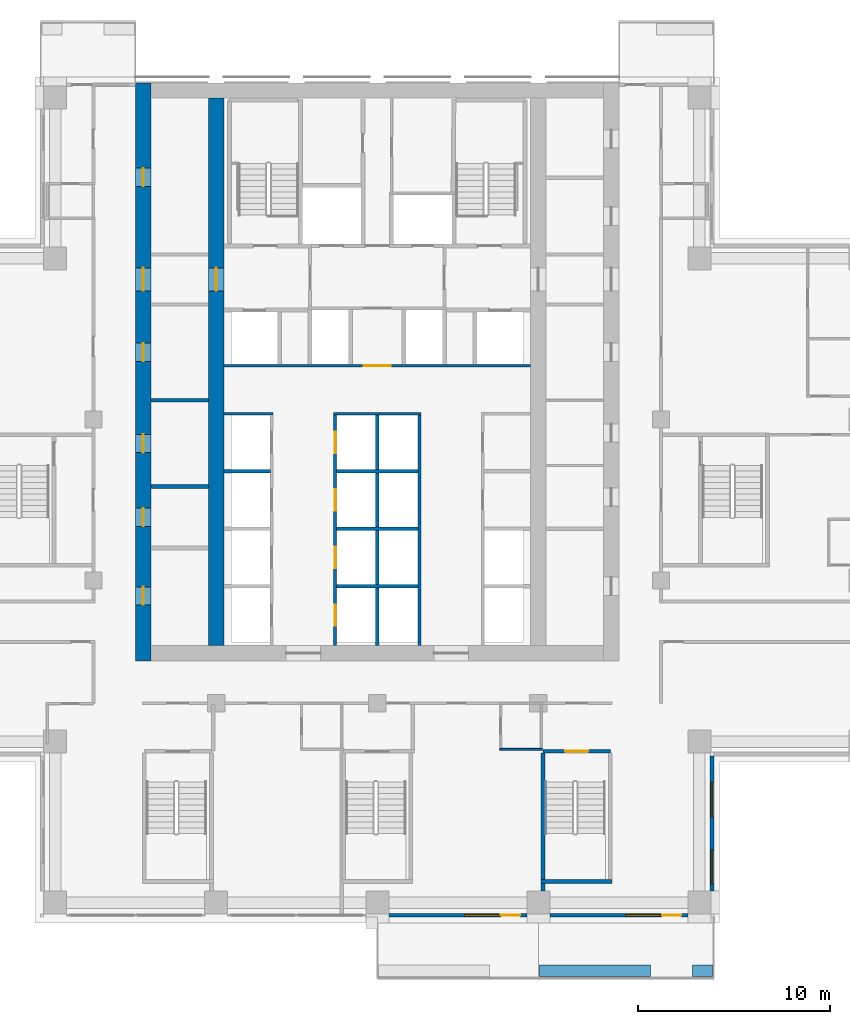
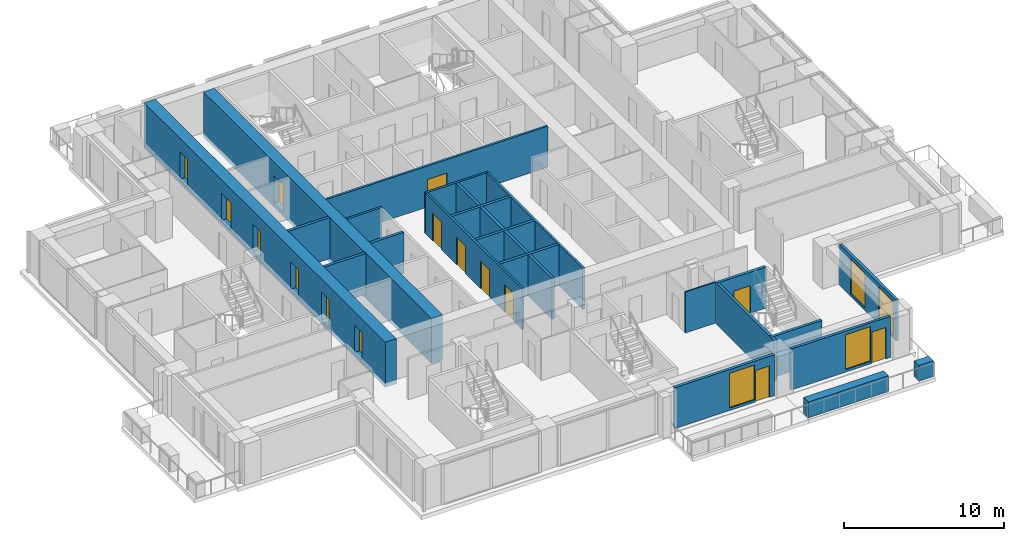
# One storey, part 10 of 18: 23 walls, 15 doors, 4 windows, 19 openings.
"""IFC4 building model written with IfcOpenShell, lengths in metres."""

from ifc_helpers import new_model, si_unit, direction, frame, frame_2d, origin, place, context, subcontext, project, spatial, rectangle, extrude, material, layer, layer_set, type_object, element, fill, save


model = new_model("IFC4")

# Units and contexts
model_context = context("Model", 3, precision=1e-05, world=origin(), true_north=direction((0.0, 1.0)))
body_context = subcontext(model_context, "Body", "Model", "MODEL_VIEW")
ifc_project = project(units=[si_unit("LENGTHUNIT", "METRE"), si_unit("AREAUNIT", "SQUARE_METRE"), si_unit("VOLUMEUNIT", "CUBIC_METRE"), si_unit("PLANEANGLEUNIT", "RADIAN"), si_unit("MASSUNIT", "GRAM", prefix="KILO")], contexts=[model_context])

# Site, building, storey
site_placement = place(None, origin())
site = spatial("IfcSite", under=ifc_project, at=site_placement, CompositionType="ELEMENT")
building_placement = place(site_placement, origin())
building = spatial("IfcBuilding", under=site, at=building_placement, Name="Vermilion Ogive Tower", CompositionType="ELEMENT")
storey_placement = place(building_placement, frame((0.0, 0.0, 94.199951171875)))
storey = spatial("IfcBuildingStorey", under=building, at=storey_placement, Name="L23", CompositionType="ELEMENT", Elevation=94.199951171875)

# Wall, openings, doors
ifc_material_1 = material(Name="Concrete B80", Category="concrete")
ifc_layer_1 = layer(ifc_material_1, 0.800048828125)
ifc_layer_set_1 = layer_set([ifc_layer_1], Name="Core wall 800 B80")
wall_type_1 = type_object("IfcWallType", Name="Core wall 800 B80", PredefinedType="SHEAR", material=ifc_layer_set_1)
wall_1_placement = place(storey_placement, frame((-12.199951171875, -8.39990234375, -0.320068359375), z_axis=(0.0, 0.0, 1.0), x_axis=(0.0, 1.0, 0.0)))
wall_1 = element("IfcWall", 1, at=wall_1_placement, inside=storey, type_object=wall_type_1, Name="L23-CORE-W", PredefinedType="SHEAR", context=body_context, shape_type="SweptSolid", body=[
    extrude(rectangle(XDim=30.14990234375, YDim=0.800048828125, at=frame_2d((15.074951171875, 0.0))), origin(), (0.0, 0.0, 1.0), 3.4501953125),
])
opening_1_placement = place(wall_1_placement, frame((2.925048828125, 0.0, 0.320068359375)))
opening_1 = element("IfcOpeningElement", 2, at=opening_1_placement, cuts=wall_1, Name="Opening DAD040", PredefinedType="OPENING", context=body_context, shape_type="SweptSolid", body=[
    extrude(rectangle(XDim=0.949951171875, YDim=2.10009765625, at=frame_2d((0.47509765625, 1.050048828125))), frame((0.0, 0.409912109375, 0.0), z_axis=(0.0, -1.0, 0.0), x_axis=(1.0, 0.0, 0.0)), (0.0, 0.0, 1.0), 0.820068359375),
])
opening_2_placement = place(wall_1_placement, frame((7.02490234375, 0.0, 0.320068359375)))
opening_2 = element("IfcOpeningElement", 3, at=opening_2_placement, cuts=wall_1, Name="Opening DAD041", PredefinedType="OPENING", context=body_context, shape_type="SweptSolid", body=[
    extrude(rectangle(XDim=0.949951171875, YDim=2.10009765625, at=frame_2d((0.47509765625, 1.050048828125))), frame((0.0, 0.409912109375, 0.0), z_axis=(0.0, -1.0, 0.0), x_axis=(1.0, 0.0, 0.0)), (0.0, 0.0, 1.0), 0.820068359375),
])
opening_3_placement = place(wall_1_placement, frame((10.875, 0.0, 0.320068359375)))
opening_3 = element("IfcOpeningElement", 4, at=opening_3_placement, cuts=wall_1, Name="Opening DAD042", PredefinedType="OPENING", context=body_context, shape_type="SweptSolid", body=[
    extrude(rectangle(XDim=0.949951171875, YDim=2.10009765625, at=frame_2d((0.47509765625, 1.050048828125))), frame((0.0, 0.409912109375, 0.0), z_axis=(0.0, -1.0, 0.0), x_axis=(1.0, 0.0, 0.0)), (0.0, 0.0, 1.0), 0.820068359375),
])
opening_4_placement = place(wall_1_placement, frame((15.625, 0.0, 0.320068359375)))
opening_4 = element("IfcOpeningElement", 5, at=opening_4_placement, cuts=wall_1, Name="Opening DAD043", PredefinedType="OPENING", context=body_context, shape_type="SweptSolid", body=[
    extrude(rectangle(XDim=0.949951171875, YDim=2.10009765625, at=frame_2d((0.47509765625, 1.050048828125))), frame((0.0, 0.409912109375, 0.0), z_axis=(0.0, -1.0, 0.0), x_axis=(1.0, 0.0, 0.0)), (0.0, 0.0, 1.0), 0.820068359375),
])
opening_5_placement = place(wall_1_placement, frame((24.75, 0.0, 0.320068359375)))
opening_5 = element("IfcOpeningElement", 6, at=opening_5_placement, cuts=wall_1, Name="Opening DAD044", PredefinedType="OPENING", context=body_context, shape_type="SweptSolid", body=[
    extrude(rectangle(XDim=0.949951171875, YDim=2.10009765625, at=frame_2d((0.47509765625, 1.050048828125))), frame((0.0, 0.409912109375, 0.0), z_axis=(0.0, -1.0, 0.0), x_axis=(1.0, 0.0, 0.0)), (0.0, 0.0, 1.0), 0.820068359375),
])
opening_6_placement = place(wall_1_placement, frame((19.300048828125, 0.0, 0.320068359375)))
opening_6 = element("IfcOpeningElement", 7, at=opening_6_placement, cuts=wall_1, Name="Opening DAM008", PredefinedType="OPENING", context=body_context, shape_type="SweptSolid", body=[
    extrude(rectangle(XDim=1.199951171875, YDim=2.10009765625, at=frame_2d((0.60009765625, 1.050048828125))), frame((0.0, 0.409912109375, 0.0), z_axis=(0.0, -1.0, 0.0), x_axis=(1.0, 0.0, 0.0)), (0.0, 0.0, 1.0), 0.820068359375),
])
ifc_material_2 = material(Name="Timber door leaf", Category="wood")
door_type_1 = type_object("IfcDoorType", Name="Link door 1200 x 2100 FD60S", OperationType="SINGLE_SWING_LEFT", PredefinedType="DOOR", material=ifc_material_2)
door_1_placement = place(opening_6_placement, origin())
door_1 = element("IfcDoor", 8, at=door_1_placement, inside=storey, type_object=door_type_1, Name="L23-CKW-XL", OperationType="SINGLE_SWING_LEFT", OverallHeight=2.10009765625, OverallWidth=1.199951171875, PredefinedType="DOOR", context=body_context, shape_type="SweptSolid", body=[
    extrude(rectangle(XDim=1.199951171875, YDim=2.10009765625, at=frame_2d((0.60009765625, 1.050048828125))), frame((0.0, 0.02490234375, 0.0), z_axis=(0.0, -1.0, 0.0), x_axis=(1.0, 0.0, 0.0)), (0.0, 0.0, 1.0), 0.050048828125),
])
fill(opening_6, door_1)
ifc_material_3 = material(Name="Timber door leaf", Category="wood")
door_type_2 = type_object("IfcDoorType", Name="Service door 950 x 2100 FD60", OperationType="SINGLE_SWING_LEFT", PredefinedType="DOOR", material=ifc_material_3)
door_2_placement = place(opening_1_placement, origin())
door_2 = element("IfcDoor", 9, at=door_2_placement, inside=storey, type_object=door_type_2, Name="L23-CKW-XR0", OperationType="SINGLE_SWING_LEFT", OverallHeight=2.10009765625, OverallWidth=0.949951171875, PredefinedType="DOOR", context=body_context, shape_type="SweptSolid", body=[
    extrude(rectangle(XDim=0.949951171875, YDim=2.10009765625, at=frame_2d((0.47509765625, 1.050048828125))), frame((0.0, 0.02490234375, 0.0), z_axis=(0.0, -1.0, 0.0), x_axis=(1.0, 0.0, 0.0)), (0.0, 0.0, 1.0), 0.050048828125),
])
fill(opening_1, door_2)
door_3_placement = place(opening_2_placement, origin())
door_3 = element("IfcDoor", 10, at=door_3_placement, inside=storey, type_object=door_type_2, Name="L23-CKW-XR1", OperationType="SINGLE_SWING_LEFT", OverallHeight=2.10009765625, OverallWidth=0.949951171875, PredefinedType="DOOR", context=body_context, shape_type="SweptSolid", body=[
    extrude(rectangle(XDim=0.949951171875, YDim=2.10009765625, at=frame_2d((0.47509765625, 1.050048828125))), frame((0.0, 0.02490234375, 0.0), z_axis=(0.0, -1.0, 0.0), x_axis=(1.0, 0.0, 0.0)), (0.0, 0.0, 1.0), 0.050048828125),
])
fill(opening_2, door_3)
door_4_placement = place(opening_3_placement, origin())
door_4 = element("IfcDoor", 11, at=door_4_placement, inside=storey, type_object=door_type_2, Name="L23-CKW-XR2", OperationType="SINGLE_SWING_LEFT", OverallHeight=2.10009765625, OverallWidth=0.949951171875, PredefinedType="DOOR", context=body_context, shape_type="SweptSolid", body=[
    extrude(rectangle(XDim=0.949951171875, YDim=2.10009765625, at=frame_2d((0.47509765625, 1.050048828125))), frame((0.0, 0.02490234375, 0.0), z_axis=(0.0, -1.0, 0.0), x_axis=(1.0, 0.0, 0.0)), (0.0, 0.0, 1.0), 0.050048828125),
])
fill(opening_3, door_4)
door_5_placement = place(opening_4_placement, origin())
door_5 = element("IfcDoor", 12, at=door_5_placement, inside=storey, type_object=door_type_2, Name="L23-CKW-XR3", OperationType="SINGLE_SWING_LEFT", OverallHeight=2.10009765625, OverallWidth=0.949951171875, PredefinedType="DOOR", context=body_context, shape_type="SweptSolid", body=[
    extrude(rectangle(XDim=0.949951171875, YDim=2.10009765625, at=frame_2d((0.47509765625, 1.050048828125))), frame((0.0, 0.02490234375, 0.0), z_axis=(0.0, -1.0, 0.0), x_axis=(1.0, 0.0, 0.0)), (0.0, 0.0, 1.0), 0.050048828125),
])
fill(opening_4, door_5)
door_6_placement = place(opening_5_placement, origin())
door_6 = element("IfcDoor", 13, at=door_6_placement, inside=storey, type_object=door_type_2, Name="L23-CKW-XR4", OperationType="SINGLE_SWING_LEFT", OverallHeight=2.10009765625, OverallWidth=0.949951171875, PredefinedType="DOOR", context=body_context, shape_type="SweptSolid", body=[
    extrude(rectangle(XDim=0.949951171875, YDim=2.10009765625, at=frame_2d((0.47509765625, 1.050048828125))), frame((0.0, 0.02490234375, 0.0), z_axis=(0.0, -1.0, 0.0), x_axis=(1.0, 0.0, 0.0)), (0.0, 0.0, 1.0), 0.050048828125),
])
fill(opening_5, door_6)

# Wall, opening, door
wall_2_placement = place(storey_placement, frame((-8.39990234375, -7.60009765625, -0.320068359375), z_axis=(0.0, 0.0, 1.0), x_axis=(0.0, 1.0, 0.0)))
wall_2 = element("IfcWall", 14, at=wall_2_placement, inside=storey, type_object=wall_type_1, Name="L23-CORE-WEB1", PredefinedType="SHEAR", context=body_context, shape_type="SweptSolid", body=[
    extrude(rectangle(XDim=28.550048828125, YDim=0.800048828125, at=frame_2d((14.27490234375, 0.0))), origin(), (0.0, 0.0, 1.0), 3.4501953125),
])
opening_7_placement = place(wall_2_placement, frame((18.5, 0.0, 0.320068359375)))
opening_7 = element("IfcOpeningElement", 15, at=opening_7_placement, cuts=wall_2, Name="Opening DAP008", PredefinedType="OPENING", context=body_context, shape_type="SweptSolid", body=[
    extrude(rectangle(XDim=1.199951171875, YDim=2.10009765625, at=frame_2d((0.60009765625, 1.050048828125))), frame((0.0, 0.409912109375, 0.0), z_axis=(0.0, -1.0, 0.0), x_axis=(1.0, 0.0, 0.0)), (0.0, 0.0, 1.0), 0.820068359375),
])
door_7_placement = place(opening_7_placement, origin())
door_7 = element("IfcDoor", 16, at=door_7_placement, inside=storey, type_object=door_type_1, Name="L23-CKW-XW", OperationType="SINGLE_SWING_LEFT", OverallHeight=2.10009765625, OverallWidth=1.199951171875, PredefinedType="DOOR", context=body_context, shape_type="SweptSolid", body=[
    extrude(rectangle(XDim=1.199951171875, YDim=2.10009765625, at=frame_2d((0.60009765625, 1.050048828125))), frame((0.0, 0.02490234375, 0.0), z_axis=(0.0, -1.0, 0.0), x_axis=(1.0, 0.0, 0.0)), (0.0, 0.0, 1.0), 0.050048828125),
])
fill(opening_7, door_7)

# Walls
ifc_material_4 = material(Name="Gypsum board partition on steel studs", Category="steel")
ifc_layer_2 = layer(ifc_material_4, 0.10009765625)
ifc_layer_set_2 = layer_set([ifc_layer_2], Name="Partition 100 bath")
wall_type_2 = type_object("IfcWallType", Name="Partition 100 bath", PredefinedType="PARTITIONING", material=ifc_layer_set_2)
wall_3_placement = place(storey_placement, frame((6.39990234375, -13.0, 0.0), z_axis=(0.0, 0.0, 1.0), x_axis=(1.0, 0.0, 0.0)))
element("IfcWall", 17, at=wall_3_placement, inside=storey, type_object=wall_type_2, Name="L23-W-W006", PredefinedType="PARTITIONING", context=body_context, shape_type="SweptSolid", body=[
    extrude(rectangle(XDim=2.2001953125, YDim=0.10009765625, at=frame_2d((1.10009765625, 0.0))), origin(), (0.0, 0.0, 1.0), 3.130126953125),
])
ifc_material_5 = material(Name="Gypsum board partition on steel studs", Category="steel")
ifc_layer_3 = layer(ifc_material_5, 0.14990234375)
ifc_layer_set_3 = layer_set([ifc_layer_3], Name="Partition 150 corridor")
wall_type_3 = type_object("IfcWallType", Name="Partition 150 corridor", PredefinedType="PARTITIONING", material=ifc_layer_set_3)
wall_4_placement = place(storey_placement, frame((-7.9990234375, 4.5, 0.0), z_axis=(0.0, 0.0, 1.0), x_axis=(1.0, 0.0, 0.0)))
element("IfcWall", 18, at=wall_4_placement, inside=storey, type_object=wall_type_3, Name="L23-CK-W-W010", PredefinedType="PARTITIONING", context=body_context, shape_type="SweptSolid", body=[
    extrude(rectangle(XDim=2.573974609375, YDim=0.14990234375, at=frame_2d((1.287109375, 0.0))), origin(), (0.0, 0.0, 1.0), 3.130126953125),
])
wall_5_placement = place(storey_placement, frame((-2.27490234375, 4.5, 0.0), z_axis=(0.0, 0.0, 1.0), x_axis=(1.0, 0.0, 0.0)))
element("IfcWall", 19, at=wall_5_placement, inside=storey, type_object=wall_type_3, Name="L23-CK-W-W011", PredefinedType="PARTITIONING", context=body_context, shape_type="SweptSolid", body=[
    extrude(rectangle(XDim=4.5498046875, YDim=0.14990234375, at=frame_2d((2.27490234375, 0.0))), origin(), (0.0, 0.0, 1.0), 3.130126953125),
])

# Wall, opening, door
wall_6_placement = place(storey_placement, frame((-7.9990234375, 7.0, 0.0), z_axis=(0.0, 0.0, 1.0), x_axis=(1.0, 0.0, 0.0)))
wall_6 = element("IfcWall", 20, at=wall_6_placement, inside=storey, type_object=wall_type_3, Name="L23-CK-W-W013", PredefinedType="PARTITIONING", context=body_context, shape_type="SweptSolid", body=[
    extrude(rectangle(XDim=15.998046875, YDim=0.14990234375, at=frame_2d((7.9990234375, 0.0))), origin(), (0.0, 0.0, 1.0), 3.130126953125),
])
opening_8_placement = place(wall_6_placement, frame((7.299072265625, 0.0, 0.0)))
opening_8 = element("IfcOpeningElement", 21, at=opening_8_placement, cuts=wall_6, Name="Opening DAA163", PredefinedType="OPENING", context=body_context, shape_type="SweptSolid", body=[
    extrude(rectangle(XDim=1.39990234375, YDim=2.10009765625, at=frame_2d((0.699951171875, 1.050048828125))), frame((0.0, 0.0849609375, 0.0), z_axis=(0.0, -1.0, 0.0), x_axis=(1.0, 0.0, 0.0)), (0.0, 0.0, 1.0), 0.169921875),
])
ifc_material_6 = material(Name="Timber door leaf", Category="wood")
door_type_3 = type_object("IfcDoorType", Name="Lobby door 1400 x 2100 FD60S", OperationType="SINGLE_SWING_LEFT", PredefinedType="DOOR", material=ifc_material_6)
door_8_placement = place(opening_8_placement, origin())
door_8 = element("IfcDoor", 22, at=door_8_placement, inside=storey, type_object=door_type_3, Name="L23-CK-D-D015", OperationType="SINGLE_SWING_RIGHT", OverallHeight=2.10009765625, OverallWidth=1.39990234375, PredefinedType="DOOR", context=body_context, shape_type="SweptSolid", body=[
    extrude(rectangle(XDim=1.39990234375, YDim=2.10009765625, at=frame_2d((0.699951171875, 1.050048828125))), frame((0.0, 0.02490234375, 0.0), z_axis=(0.0, -1.0, 0.0), x_axis=(1.0, 0.0, 0.0)), (0.0, 0.0, 1.0), 0.050048828125),
])
fill(opening_8, door_8)

# Wall, openings, doors
wall_7_placement = place(storey_placement, frame((-2.199951171875, -7.59912109375, 0.0), z_axis=(0.0, 0.0, 1.0), x_axis=(0.0, 1.0, 0.0)))
wall_7 = element("IfcWall", 23, at=wall_7_placement, inside=storey, type_object=wall_type_3, Name="L23-CK-W-W027", PredefinedType="PARTITIONING", context=body_context, shape_type="SweptSolid", body=[
    extrude(rectangle(XDim=12.024169921875, YDim=0.14990234375, at=frame_2d((6.01220703125, 0.0))), origin(), (0.0, 0.0, 1.0), 3.130126953125),
])
opening_9_placement = place(wall_7_placement, frame((1.049072265625, 0.0, 0.0)))
opening_9 = element("IfcOpeningElement", 24, at=opening_9_placement, cuts=wall_7, Name="Opening DAA178", PredefinedType="OPENING", context=body_context, shape_type="SweptSolid", body=[
    extrude(rectangle(XDim=1.10009765625, YDim=2.10009765625, at=frame_2d((0.550048828125, 1.050048828125))), frame((0.0, 0.0849609375, 0.0), z_axis=(0.0, -1.0, 0.0), x_axis=(1.0, 0.0, 0.0)), (0.0, 0.0, 1.0), 0.169921875),
])
opening_10_placement = place(wall_7_placement, frame((4.049072265625, 0.0, 0.0)))
opening_10 = element("IfcOpeningElement", 25, at=opening_10_placement, cuts=wall_7, Name="Opening DAA179", PredefinedType="OPENING", context=body_context, shape_type="SweptSolid", body=[
    extrude(rectangle(XDim=1.10009765625, YDim=2.10009765625, at=frame_2d((0.550048828125, 1.050048828125))), frame((0.0, 0.0849609375, 0.0), z_axis=(0.0, -1.0, 0.0), x_axis=(1.0, 0.0, 0.0)), (0.0, 0.0, 1.0), 0.169921875),
])
opening_11_placement = place(wall_7_placement, frame((7.049072265625, 0.0, 0.0)))
opening_11 = element("IfcOpeningElement", 26, at=opening_11_placement, cuts=wall_7, Name="Opening DAA180", PredefinedType="OPENING", context=body_context, shape_type="SweptSolid", body=[
    extrude(rectangle(XDim=1.10009765625, YDim=2.10009765625, at=frame_2d((0.550048828125, 1.050048828125))), frame((0.0, 0.0849609375, 0.0), z_axis=(0.0, -1.0, 0.0), x_axis=(1.0, 0.0, 0.0)), (0.0, 0.0, 1.0), 0.169921875),
])
opening_12_placement = place(wall_7_placement, frame((10.049072265625, 0.0, 0.0)))
opening_12 = element("IfcOpeningElement", 27, at=opening_12_placement, cuts=wall_7, Name="Opening DAA181", PredefinedType="OPENING", context=body_context, shape_type="SweptSolid", body=[
    extrude(rectangle(XDim=1.10009765625, YDim=2.10009765625, at=frame_2d((0.550048828125, 1.050048828125))), frame((0.0, 0.0849609375, 0.0), z_axis=(0.0, -1.0, 0.0), x_axis=(1.0, 0.0, 0.0)), (0.0, 0.0, 1.0), 0.169921875),
])
ifc_material_7 = material(Name="Stainless steel", Category="steel")
door_type_4 = type_object("IfcDoorType", Name="Lift landing door 1100 x 2100", OperationType="SLIDING_TO_LEFT", PredefinedType="DOOR", material=ifc_material_7)
door_9_placement = place(opening_9_placement, origin())
door_9 = element("IfcDoor", 28, at=door_9_placement, inside=storey, type_object=door_type_4, Name="L23-CK-D-D005", OperationType="SLIDING_TO_LEFT", OverallHeight=2.10009765625, OverallWidth=1.10009765625, PredefinedType="DOOR", context=body_context, shape_type="SweptSolid", body=[
    extrude(rectangle(XDim=1.10009765625, YDim=2.10009765625, at=frame_2d((0.550048828125, 1.050048828125))), frame((0.0, 0.02490234375, 0.0), z_axis=(0.0, -1.0, 0.0), x_axis=(1.0, 0.0, 0.0)), (0.0, 0.0, 1.0), 0.050048828125),
])
fill(opening_9, door_9)
door_10_placement = place(opening_10_placement, origin())
door_10 = element("IfcDoor", 29, at=door_10_placement, inside=storey, type_object=door_type_4, Name="L23-CK-D-D006", OperationType="SLIDING_TO_LEFT", OverallHeight=2.10009765625, OverallWidth=1.10009765625, PredefinedType="DOOR", context=body_context, shape_type="SweptSolid", body=[
    extrude(rectangle(XDim=1.10009765625, YDim=2.10009765625, at=frame_2d((0.550048828125, 1.050048828125))), frame((0.0, 0.02490234375, 0.0), z_axis=(0.0, -1.0, 0.0), x_axis=(1.0, 0.0, 0.0)), (0.0, 0.0, 1.0), 0.050048828125),
])
fill(opening_10, door_10)
door_11_placement = place(opening_11_placement, origin())
door_11 = element("IfcDoor", 30, at=door_11_placement, inside=storey, type_object=door_type_4, Name="L23-CK-D-D007", OperationType="SLIDING_TO_LEFT", OverallHeight=2.10009765625, OverallWidth=1.10009765625, PredefinedType="DOOR", context=body_context, shape_type="SweptSolid", body=[
    extrude(rectangle(XDim=1.10009765625, YDim=2.10009765625, at=frame_2d((0.550048828125, 1.050048828125))), frame((0.0, 0.02490234375, 0.0), z_axis=(0.0, -1.0, 0.0), x_axis=(1.0, 0.0, 0.0)), (0.0, 0.0, 1.0), 0.050048828125),
])
fill(opening_11, door_11)
door_12_placement = place(opening_12_placement, origin())
door_12 = element("IfcDoor", 31, at=door_12_placement, inside=storey, type_object=door_type_4, Name="L23-CK-D-D008", OperationType="SLIDING_TO_LEFT", OverallHeight=2.10009765625, OverallWidth=1.10009765625, PredefinedType="DOOR", context=body_context, shape_type="SweptSolid", body=[
    extrude(rectangle(XDim=1.10009765625, YDim=2.10009765625, at=frame_2d((0.550048828125, 1.050048828125))), frame((0.0, 0.02490234375, 0.0), z_axis=(0.0, -1.0, 0.0), x_axis=(1.0, 0.0, 0.0)), (0.0, 0.0, 1.0), 0.050048828125),
])
fill(opening_12, door_12)

# Walls
wall_8_placement = place(storey_placement, frame((2.199951171875, -7.59912109375, 0.0), z_axis=(0.0, 0.0, 1.0), x_axis=(0.0, 1.0, 0.0)))
element("IfcWall", 32, at=wall_8_placement, inside=storey, type_object=wall_type_3, Name="L23-CK-W-W034", PredefinedType="PARTITIONING", context=body_context, shape_type="SweptSolid", body=[
    extrude(rectangle(XDim=12.024169921875, YDim=0.14990234375, at=frame_2d((6.01220703125, 0.0))), origin(), (0.0, 0.0, 1.0), 3.130126953125),
])
ifc_material_8 = material(Name="Gypsum board partition on steel studs", Category="steel")
ifc_layer_4 = layer(ifc_material_8, 0.199951171875)
ifc_layer_set_4 = layer_set([ifc_layer_4], Name="Partition 200 party")
wall_type_4 = type_object("IfcWallType", Name="Partition 200 party", PredefinedType="PARTITIONING", material=ifc_layer_set_4)
for number, where, z_axis, x_axis, name in (
    (33, (-2.125, -4.5, 0.0), (0.0, 0.0, 1.0), (1.0, 0.0, 0.0), "L23-CK-W-W002"),
    (34, (-2.125, -1.5, 0.0), (0.0, 0.0, 1.0), (1.0, 0.0, 0.0), "L23-CK-W-W005"),
):
    element("IfcWall", number, at=place(storey_placement, frame(where, z_axis=z_axis, x_axis=x_axis)), inside=storey, type_object=wall_type_4, Name=name, PredefinedType="PARTITIONING", context=body_context, shape_type="SweptSolid", body=[
        extrude(rectangle(XDim=4.25, YDim=0.199951171875, at=frame_2d((2.125, 0.0))), origin(), (0.0, 0.0, 1.0), 3.130126953125),
    ])
wall_9_placement = place(storey_placement, frame((-7.9990234375, 1.5, 0.0), z_axis=(0.0, 0.0, 1.0), x_axis=(1.0, 0.0, 0.0)))
element("IfcWall", 35, at=wall_9_placement, inside=storey, type_object=wall_type_4, Name="L23-CK-W-W007", PredefinedType="PARTITIONING", context=body_context, shape_type="SweptSolid", body=[
    extrude(rectangle(XDim=2.424072265625, YDim=0.199951171875, at=frame_2d((1.2119140625, 0.0))), origin(), (0.0, 0.0, 1.0), 3.130126953125),
])
wall_10_placement = place(storey_placement, frame((-2.125, 1.5, 0.0), z_axis=(0.0, 0.0, 1.0), x_axis=(1.0, 0.0, 0.0)))
element("IfcWall", 36, at=wall_10_placement, inside=storey, type_object=wall_type_4, Name="L23-CK-W-W008", PredefinedType="PARTITIONING", context=body_context, shape_type="SweptSolid", body=[
    extrude(rectangle(XDim=4.25, YDim=0.199951171875, at=frame_2d((2.125, 0.0))), origin(), (0.0, 0.0, 1.0), 3.130126953125),
])
wall_11_placement = place(storey_placement, frame((0.0, -7.59912109375, 0.0), z_axis=(0.0, 0.0, 1.0), x_axis=(0.0, 1.0, 0.0)))
element("IfcWall", 37, at=wall_11_placement, inside=storey, type_object=wall_type_4, Name="L23-CK-W-W030", PredefinedType="PARTITIONING", context=body_context, shape_type="SweptSolid", body=[
    extrude(rectangle(XDim=12.024169921875, YDim=0.199951171875, at=frame_2d((6.01220703125, 0.0))), origin(), (0.0, 0.0, 1.0), 3.130126953125),
])
for number, where, z_axis, x_axis, name in (
    (38, (-11.799072265625, 0.699951171875, 0.0), (0.0, 0.0, 1.0), (1.0, 0.0, 0.0), "L23-CKW-W-W002"),
    (39, (-11.799072265625, 5.199951171875, 0.0), (0.0, 0.0, 1.0), (1.0, 0.0, 0.0), "L23-CKW-W-W003"),
):
    element("IfcWall", number, at=place(storey_placement, frame(where, z_axis=z_axis, x_axis=x_axis)), inside=storey, type_object=wall_type_4, Name=name, PredefinedType="PARTITIONING", context=body_context, shape_type="SweptSolid", body=[
        extrude(rectangle(XDim=2.998046875, YDim=0.199951171875, at=frame_2d((1.4990234375, 0.0))), origin(), (0.0, 0.0, 1.0), 3.130126953125),
    ])

# Wall, opening, door
ifc_material_9 = material(Name="Concrete B60", Category="concrete")
ifc_layer_5 = layer(ifc_material_9, 0.199951171875)
ifc_layer_set_5 = layer_set([ifc_layer_5], Name="Stair shaft wall 200 Concrete B60")
wall_type_5 = type_object("IfcWallType", Name="Stair shaft wall 200 Concrete B60", PredefinedType="SOLIDWALL", material=ifc_layer_set_5)
wall_12_placement = place(storey_placement, frame((8.64990234375, -13.10009765625, 0.0), z_axis=(0.0, 0.0, 1.0), x_axis=(1.0, 0.0, 0.0)))
wall_12 = element("IfcWall", 40, at=wall_12_placement, inside=storey, type_object=wall_type_5, Name="L23-W-W004", PredefinedType="SOLIDWALL", context=body_context, shape_type="SweptSolid", body=[
    extrude(rectangle(XDim=3.5, YDim=0.199951171875, at=frame_2d((1.75, 0.0))), origin(), (0.0, 0.0, 1.0), 3.130126953125),
])
opening_13_placement = place(wall_12_placement, frame((1.150146484375, 0.0, 0.0)))
opening_13 = element("IfcOpeningElement", 41, at=opening_13_placement, cuts=wall_12, Name="Opening D2G2027", PredefinedType="OPENING", context=body_context, shape_type="SweptSolid", body=[
    extrude(rectangle(XDim=1.199951171875, YDim=2.10009765625, at=frame_2d((0.60009765625, 1.050048828125))), frame((0.0, 0.10986328125, 0.0), z_axis=(0.0, -1.0, 0.0), x_axis=(1.0, 0.0, 0.0)), (0.0, 0.0, 1.0), 0.219970703125),
])
ifc_material_10 = material(Name="Timber door leaf", Category="wood")
door_type_5 = type_object("IfcDoorType", Name="Stair door 1200 x 2100 FD60S", OperationType="SINGLE_SWING_LEFT", PredefinedType="DOOR", material=ifc_material_10)
door_13_placement = place(opening_13_placement, origin())
door_13 = element("IfcDoor", 42, at=door_13_placement, inside=storey, type_object=door_type_5, Name="L23-D-D027", OperationType="SINGLE_SWING_RIGHT", OverallHeight=2.10009765625, OverallWidth=1.199951171875, PredefinedType="DOOR", context=body_context, shape_type="SweptSolid", body=[
    extrude(rectangle(XDim=1.199951171875, YDim=2.10009765625, at=frame_2d((0.60009765625, 1.050048828125))), frame((0.0, 0.02490234375, 0.0), z_axis=(0.0, -1.0, 0.0), x_axis=(1.0, 0.0, 0.0)), (0.0, 0.0, 1.0), 0.050048828125),
])
fill(opening_13, door_13)

# Walls
wall_13_placement = place(storey_placement, frame((8.550048828125, -19.89990234375, 0.0), z_axis=(0.0, 0.0, 1.0), x_axis=(1.0, 0.0, 0.0)))
element("IfcWall", 43, at=wall_13_placement, inside=storey, type_object=wall_type_5, Name="L23-SW-ST5-S1", PredefinedType="SOLIDWALL", context=body_context, shape_type="SweptSolid", body=[
    extrude(rectangle(XDim=3.699951171875, YDim=0.199951171875, at=frame_2d((1.85009765625, 0.0))), origin(), (0.0, 0.0, 1.0), 3.130126953125),
])
wall_14_placement = place(storey_placement, frame((8.64990234375, -20.39990234375, 0.0), z_axis=(0.0, 0.0, 1.0), x_axis=(0.0, 1.0, 0.0)))
element("IfcWall", 44, at=wall_14_placement, inside=storey, type_object=wall_type_5, Name="L23-SW-ST5-W1", PredefinedType="SOLIDWALL", context=body_context, shape_type="SweptSolid", body=[
    extrude(rectangle(XDim=7.199951171875, YDim=0.199951171875, at=frame_2d((3.60009765625, 0.0))), origin(), (0.0, 0.0, 1.0), 3.130126953125),
])
ifc_material_11 = material(Name="Concrete B40", Category="concrete")
ifc_layer_6 = layer(ifc_material_11, 0.60009765625)
ifc_layer_set_6 = layer_set([ifc_layer_6], Name="Structural planter")
wall_type_6 = type_object("IfcWallType", Name="Structural planter", PredefinedType="USERDEFINED", material=ifc_layer_set_6)
wall_15_placement = place(storey_placement, frame((8.4599609375, -24.550048828125, -0.0400390625), z_axis=(0.0, 0.0, 1.0), x_axis=(1.0, 0.0, 0.0)))
element("IfcWall", 45, at=wall_15_placement, inside=storey, type_object=wall_type_6, Name="Planter S04A1", ObjectType="PLANTER", PredefinedType="USERDEFINED", context=body_context, shape_type="SweptSolid", body=[
    extrude(rectangle(XDim=5.7900390625, YDim=0.60009765625, at=frame_2d((2.89501953125, 0.0))), origin(), (0.0, 0.0, 1.0), 1.2001953125),
])
wall_16_placement = place(storey_placement, frame((16.449951171875, -24.550048828125, -0.0400390625), z_axis=(0.0, 0.0, 1.0), x_axis=(1.0, 0.0, 0.0)))
element("IfcWall", 46, at=wall_16_placement, inside=storey, type_object=wall_type_6, Name="Planter S04A2", ObjectType="PLANTER", PredefinedType="USERDEFINED", context=body_context, shape_type="SweptSolid", body=[
    extrude(rectangle(XDim=1.0400390625, YDim=0.60009765625, at=frame_2d((0.52001953125, 0.0))), origin(), (0.0, 0.0, 1.0), 1.2001953125),
])

# Wall, openings, door, window
ifc_material_12 = material(Name="Aluminium window wall framing", Category="aluminium")
ifc_layer_7 = layer(ifc_material_12, 0.199951171875)
ifc_layer_set_7 = layer_set([ifc_layer_7], Name="Window wall")
wall_type_7 = type_object("IfcWallType", Name="Window wall", PredefinedType="STANDARD", material=ifc_layer_set_7)
wall_17_placement = place(storey_placement, frame((0.60009765625, -21.64990234375, 0.0), z_axis=(0.0, 0.0, 1.0), x_axis=(1.0, 0.0, 0.0)))
wall_17 = element("IfcWall", 47, at=wall_17_placement, inside=storey, type_object=wall_type_7, Name="Window wall S3", PredefinedType="STANDARD", context=body_context, shape_type="SweptSolid", body=[
    extrude(rectangle(XDim=7.199951171875, YDim=0.199951171875, at=frame_2d((3.60009765625, 0.0))), origin(), (0.0, 0.0, 1.0), 3.130126953125),
])
opening_14_placement = place(wall_17_placement, frame((3.949951171875, 0.0, 0.199951171875)))
opening_14 = element("IfcOpeningElement", 48, at=opening_14_placement, cuts=wall_17, Name="Opening W1-S01", PredefinedType="OPENING", context=body_context, shape_type="SweptSolid", body=[
    extrude(rectangle(XDim=1.800048828125, YDim=2.64990234375, at=frame_2d((0.89990234375, 1.324951171875))), frame((0.0, 0.10986328125, 0.0), z_axis=(0.0, -1.0, 0.0), x_axis=(1.0, 0.0, 0.0)), (0.0, 0.0, 1.0), 0.219970703125),
])
opening_15_placement = place(wall_17_placement, frame((5.85009765625, 0.0, 0.0)))
opening_15 = element("IfcOpeningElement", 49, at=opening_15_placement, cuts=wall_17, Name="Opening D1-S01", PredefinedType="OPENING", context=body_context, shape_type="SweptSolid", body=[
    extrude(rectangle(XDim=1.0, YDim=2.39990234375, at=frame_2d((0.5, 1.199951171875))), frame((0.0, 0.10986328125, 0.0), z_axis=(0.0, -1.0, 0.0), x_axis=(1.0, 0.0, 0.0)), (0.0, 0.0, 1.0), 0.219970703125),
])
ifc_material_13 = material(Name="Aluminium framed glazed door", Category="aluminium")
door_type_6 = type_object("IfcDoorType", Name="Balcony door D1", OperationType="SINGLE_SWING_LEFT", PredefinedType="DOOR", material=ifc_material_13)
door_14_placement = place(opening_15_placement, origin())
door_14 = element("IfcDoor", 50, at=door_14_placement, inside=storey, type_object=door_type_6, Name="Balcony door S01", OperationType="SINGLE_SWING_LEFT", OverallHeight=2.39990234375, OverallWidth=1.0, PredefinedType="DOOR", context=body_context, shape_type="SweptSolid", body=[
    extrude(rectangle(XDim=1.0, YDim=2.39990234375, at=frame_2d((0.5, 1.199951171875))), frame((0.0, 0.02490234375, 0.0), z_axis=(0.0, -1.0, 0.0), x_axis=(1.0, 0.0, 0.0)), (0.0, 0.0, 1.0), 0.050048828125),
])
fill(opening_15, door_14)
ifc_material_14 = material(Name="Aluminium framed double glazing", Category="aluminium")
window_type = type_object("IfcWindowType", Name="Guest window W1", PartitioningType="SINGLE_PANEL", PredefinedType="WINDOW", material=ifc_material_14)
window_1_placement = place(opening_14_placement, origin())
window_1 = element("IfcWindow", 51, at=window_1_placement, inside=storey, type_object=window_type, Name="Window S01", OverallHeight=2.64990234375, OverallWidth=1.800048828125, PartitioningType="SINGLE_PANEL", PredefinedType="WINDOW", context=body_context, shape_type="SweptSolid", body=[
    extrude(rectangle(XDim=1.800048828125, YDim=2.64990234375, at=frame_2d((0.89990234375, 1.324951171875))), frame((0.0, 0.030029296875, 0.0), z_axis=(0.0, -1.0, 0.0), x_axis=(1.0, 0.0, 0.0)), (0.0, 0.0, 1.0), 0.06005859375),
])
fill(opening_14, window_1)

wall_18_placement = place(storey_placement, frame((9.0, -21.64990234375, 0.0), z_axis=(0.0, 0.0, 1.0), x_axis=(1.0, 0.0, 0.0)))
wall_18 = element("IfcWall", 52, at=wall_18_placement, inside=storey, type_object=wall_type_7, Name="Window wall S4", PredefinedType="STANDARD", context=body_context, shape_type="SweptSolid", body=[
    extrude(rectangle(XDim=7.199951171875, YDim=0.199951171875, at=frame_2d((3.60009765625, 0.0))), origin(), (0.0, 0.0, 1.0), 3.130126953125),
])
opening_16_placement = place(wall_18_placement, frame((3.949951171875, 0.0, 0.199951171875)))
opening_16 = element("IfcOpeningElement", 53, at=opening_16_placement, cuts=wall_18, Name="Opening W1-S03", PredefinedType="OPENING", context=body_context, shape_type="SweptSolid", body=[
    extrude(rectangle(XDim=1.800048828125, YDim=2.64990234375, at=frame_2d((0.89990234375, 1.324951171875))), frame((0.0, 0.10986328125, 0.0), z_axis=(0.0, -1.0, 0.0), x_axis=(1.0, 0.0, 0.0)), (0.0, 0.0, 1.0), 0.219970703125),
])
opening_17_placement = place(wall_18_placement, frame((5.85009765625, 0.0, 0.0)))
opening_17 = element("IfcOpeningElement", 54, at=opening_17_placement, cuts=wall_18, Name="Opening D1-S03", PredefinedType="OPENING", context=body_context, shape_type="SweptSolid", body=[
    extrude(rectangle(XDim=1.0, YDim=2.39990234375, at=frame_2d((0.5, 1.199951171875))), frame((0.0, 0.10986328125, 0.0), z_axis=(0.0, -1.0, 0.0), x_axis=(1.0, 0.0, 0.0)), (0.0, 0.0, 1.0), 0.219970703125),
])
door_15_placement = place(opening_17_placement, origin())
door_15 = element("IfcDoor", 55, at=door_15_placement, inside=storey, type_object=door_type_6, Name="Balcony door S03", OperationType="SINGLE_SWING_LEFT", OverallHeight=2.39990234375, OverallWidth=1.0, PredefinedType="DOOR", context=body_context, shape_type="SweptSolid", body=[
    extrude(rectangle(XDim=1.0, YDim=2.39990234375, at=frame_2d((0.5, 1.199951171875))), frame((0.0, 0.02490234375, 0.0), z_axis=(0.0, -1.0, 0.0), x_axis=(1.0, 0.0, 0.0)), (0.0, 0.0, 1.0), 0.050048828125),
])
fill(opening_17, door_15)
window_2_placement = place(opening_16_placement, origin())
window_2 = element("IfcWindow", 56, at=window_2_placement, inside=storey, type_object=window_type, Name="Window S03", OverallHeight=2.64990234375, OverallWidth=1.800048828125, PartitioningType="SINGLE_PANEL", PredefinedType="WINDOW", context=body_context, shape_type="SweptSolid", body=[
    extrude(rectangle(XDim=1.800048828125, YDim=2.64990234375, at=frame_2d((0.89990234375, 1.324951171875))), frame((0.0, 0.030029296875, 0.0), z_axis=(0.0, -1.0, 0.0), x_axis=(1.0, 0.0, 0.0)), (0.0, 0.0, 1.0), 0.06005859375),
])
fill(opening_16, window_2)

# Wall, openings, windows
wall_19_placement = place(storey_placement, frame((17.449951171875, -20.39990234375, 0.0), z_axis=(0.0, 0.0, 1.0), x_axis=(0.0, 1.0, 0.0)))
wall_19 = element("IfcWall", 57, at=wall_19_placement, inside=storey, type_object=wall_type_7, Name="Window wall X11", PredefinedType="STANDARD", context=body_context, shape_type="SweptSolid", body=[
    extrude(rectangle(XDim=7.0498046875, YDim=0.199951171875, at=frame_2d((3.52490234375, 0.0))), origin(), (0.0, 0.0, 1.0), 3.130126953125),
])
opening_18_placement = place(wall_19_placement, frame((0.35009765625, 0.0, 0.199951171875)))
opening_18 = element("IfcOpeningElement", 58, at=opening_18_placement, cuts=wall_19, Name="Opening W1-X195", PredefinedType="OPENING", context=body_context, shape_type="SweptSolid", body=[
    extrude(rectangle(XDim=1.800048828125, YDim=2.64990234375, at=frame_2d((0.89990234375, 1.324951171875))), frame((0.0, 0.10986328125, 0.0), z_axis=(0.0, -1.0, 0.0), x_axis=(1.0, 0.0, 0.0)), (0.0, 0.0, 1.0), 0.219970703125),
])
opening_19_placement = place(wall_19_placement, frame((3.875, 0.0, 0.199951171875)))
opening_19 = element("IfcOpeningElement", 59, at=opening_19_placement, cuts=wall_19, Name="Opening W1-X196", PredefinedType="OPENING", context=body_context, shape_type="SweptSolid", body=[
    extrude(rectangle(XDim=1.800048828125, YDim=2.64990234375, at=frame_2d((0.89990234375, 1.324951171875))), frame((0.0, 0.10986328125, 0.0), z_axis=(0.0, -1.0, 0.0), x_axis=(1.0, 0.0, 0.0)), (0.0, 0.0, 1.0), 0.219970703125),
])
window_3_placement = place(opening_18_placement, origin())
window_3 = element("IfcWindow", 60, at=window_3_placement, inside=storey, type_object=window_type, Name="Window X195", OverallHeight=2.64990234375, OverallWidth=1.800048828125, PartitioningType="SINGLE_PANEL", PredefinedType="WINDOW", context=body_context, shape_type="SweptSolid", body=[
    extrude(rectangle(XDim=1.800048828125, YDim=2.64990234375, at=frame_2d((0.89990234375, 1.324951171875))), frame((0.0, 0.030029296875, 0.0), z_axis=(0.0, -1.0, 0.0), x_axis=(1.0, 0.0, 0.0)), (0.0, 0.0, 1.0), 0.06005859375),
])
fill(opening_18, window_3)
window_4_placement = place(opening_19_placement, origin())
window_4 = element("IfcWindow", 61, at=window_4_placement, inside=storey, type_object=window_type, Name="Window X196", OverallHeight=2.64990234375, OverallWidth=1.800048828125, PartitioningType="SINGLE_PANEL", PredefinedType="WINDOW", context=body_context, shape_type="SweptSolid", body=[
    extrude(rectangle(XDim=1.800048828125, YDim=2.64990234375, at=frame_2d((0.89990234375, 1.324951171875))), frame((0.0, 0.030029296875, 0.0), z_axis=(0.0, -1.0, 0.0), x_axis=(1.0, 0.0, 0.0)), (0.0, 0.0, 1.0), 0.06005859375),
])
fill(opening_19, window_4)

save(model, "model.ifc")
